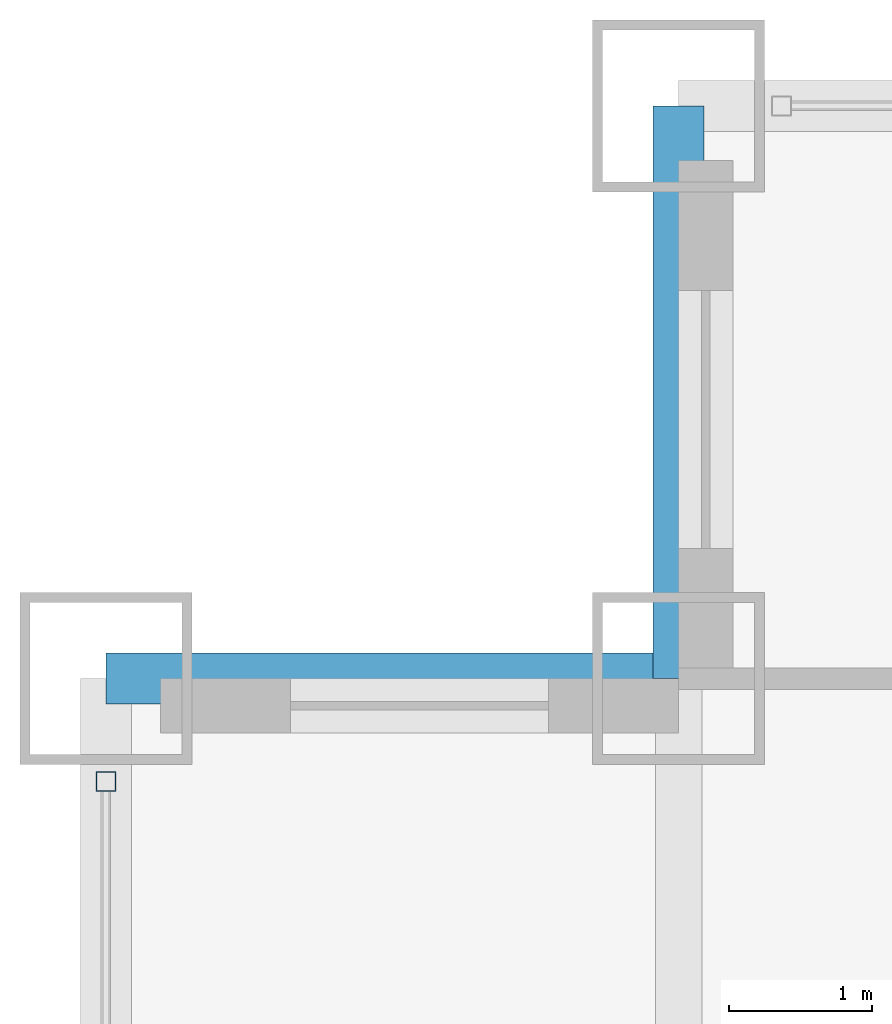
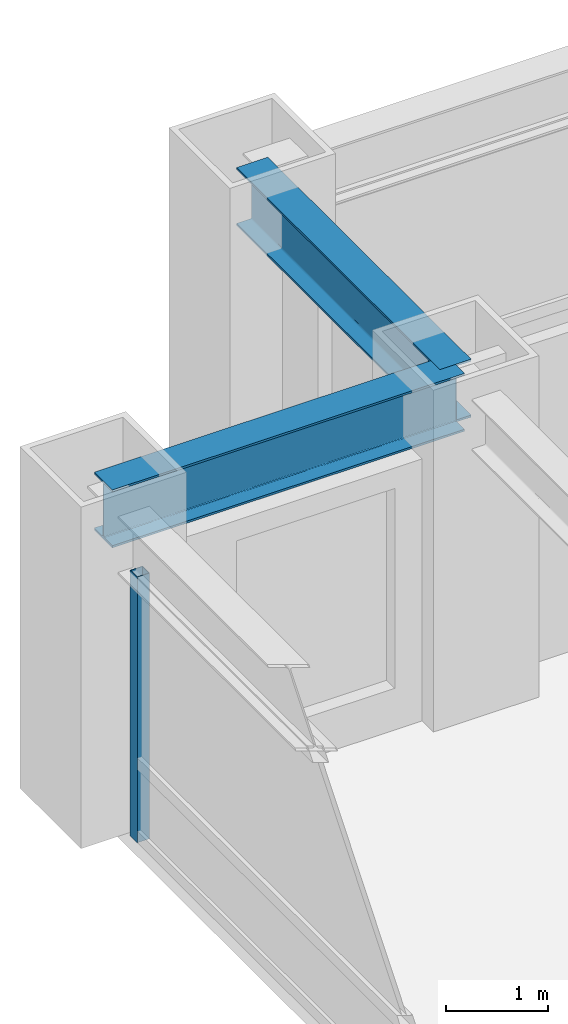
# One storey, part 10 of 27: 2 beams, 1 member, 1 element without a shape of its own.
"""IFC4 building model written with IfcOpenShell, lengths in metres."""

from ifc_helpers import new_model, si_unit, direction, frame, origin, origin_2d, place, context, subcontext, project, spatial, hollow_rectangle, i_section, extrude, source, transform, mapped, material, material_profile, profile_set, type_object, element, aggregate, save


model = new_model("IFC4")

# Units and contexts
model_context = context("Model", 3, precision=1e-05, world=origin(), true_north=direction((0.0, 1.0)))
body_context = subcontext(model_context, "Body", "Model", "MODEL_VIEW")
ifc_project = project(units=[si_unit("LENGTHUNIT", "METRE"), si_unit("AREAUNIT", "SQUARE_METRE"), si_unit("VOLUMEUNIT", "CUBIC_METRE"), si_unit("PLANEANGLEUNIT", "RADIAN"), si_unit("MASSUNIT", "GRAM", prefix="KILO")], contexts=[model_context])

# Site, building, storey
site_placement = place(None, origin())
site = spatial("IfcSite", under=ifc_project, at=site_placement, CompositionType="ELEMENT")
building_placement = place(site_placement, origin())
building = spatial("IfcBuilding", under=site, at=building_placement, Name="Khorayat Bourse Tower", CompositionType="ELEMENT")
storey_placement = place(building_placement, frame((0.0, 0.0, 111.89990234375)))
storey = spatial("IfcBuildingStorey", under=building, at=storey_placement, Name="L25", CompositionType="ELEMENT", Elevation=111.89990234375)

# Beams
ifc_material_1 = material(Name="Steel ASTM A992 Grade 50", Category="steel")
ifc_material_profile_1 = material_profile(ifc_material_1, i_section(OverallWidth=0.35498046875, OverallDepth=0.695068359375, WebThickness=0.015380859375, FlangeThickness=0.02490234375, FilletRadius=0.01806640625, at=origin_2d()), Name="W690X217")
ifc_profile_set_1 = profile_set([ifc_material_profile_1], Name="Steel ASTM A992 Grade 50")
beam_type = type_object("IfcBeamType", Name="BM-SPAN-690", PredefinedType="SPANDREL", material=ifc_profile_set_1)
shared_shape_1 = source(origin(), body_context, "Body", "SweptSolid", [
    extrude(i_section(OverallWidth=0.35498046875, OverallDepth=0.695068359375, WebThickness=0.015380859375, FlangeThickness=0.02490234375, FilletRadius=0.01806640625, at=origin_2d()), origin(), (0.0, 0.0, 1.0), 4.0),
])
for number, where, z_axis, x_axis, name in (
    (1, (-28.0, 28.0, 3.49267578125), (0.0, 1.0, 0.0), (-1.0, 0.0, 0.0), "L25 BM-SPAN-690 BM-L25-SPN-052"),
    (2, (-32.0, 28.0, 3.49267578125), (1.0, 0.0, 0.0), (0.0, 1.0, 0.0), "L25 BM-SPAN-690 BM-L25-SPN-053"),
):
    element("IfcBeam", number, at=place(storey_placement, frame(where, z_axis=z_axis, x_axis=x_axis)), inside=storey, type_object=beam_type, Name=name, PredefinedType="SPANDREL", context=body_context, shape_type="MappedRepresentation", body=[
        mapped(shared_shape_1, transform((0.0, 0.0, 0.0), scale=1.0)),
    ])

# Curtain wall, member
ifc_material_2 = material(Name="Aluminium EN AW-6063 T6", Category="aluminium")
curtain_wall_type = type_object("IfcCurtainWallType", Name="CW-SYS-02", PredefinedType="NOTDEFINED", material=ifc_material_2)
curtain_wall_placement = place(storey_placement, origin())
curtain_wall = element("IfcCurtainWall", 3, at=curtain_wall_placement, inside=storey, type_object=curtain_wall_type, Name="L25 Curtain Wall CW-L25-W1", PredefinedType="NOTDEFINED")
ifc_material_profile_2 = material_profile(ifc_material_2, hollow_rectangle(XDim=0.139892578125, YDim=0.139892578125, WallThickness=0.006103515625, at=origin_2d()), Name="ALU 140x140x6")
ifc_profile_set_2 = profile_set([ifc_material_profile_2], Name="Aluminium EN AW-6063 T6")
member_type = type_object("IfcMemberType", Name="CWM-VERT-140", PredefinedType="MULLION", material=ifc_profile_set_2)
shared_shape_2 = source(origin(), body_context, "Body", "SweptSolid", [
    extrude(hollow_rectangle(XDim=0.139892578125, YDim=0.139892578125, WallThickness=0.006103515625, at=origin_2d()), origin(), (0.0, 0.0, 1.0), 3.190185546875),
])
member_placement = place(storey_placement, frame((-32.0, 27.280029296875, 0.0), z_axis=(0.0, 0.0, 1.0), x_axis=(-1.0, 0.0, 0.0)))
member = element("IfcMember", 4, at=member_placement, type_object=member_type, Name="CW-L25-W1 Vertical Mullion 3", PredefinedType="MULLION", context=body_context, shape_type="MappedRepresentation", body=[
    mapped(shared_shape_2, transform((0.0, 0.0, 0.0), scale=1.0)),
])
aggregate(curtain_wall, [member])

save(model, "model.ifc")
